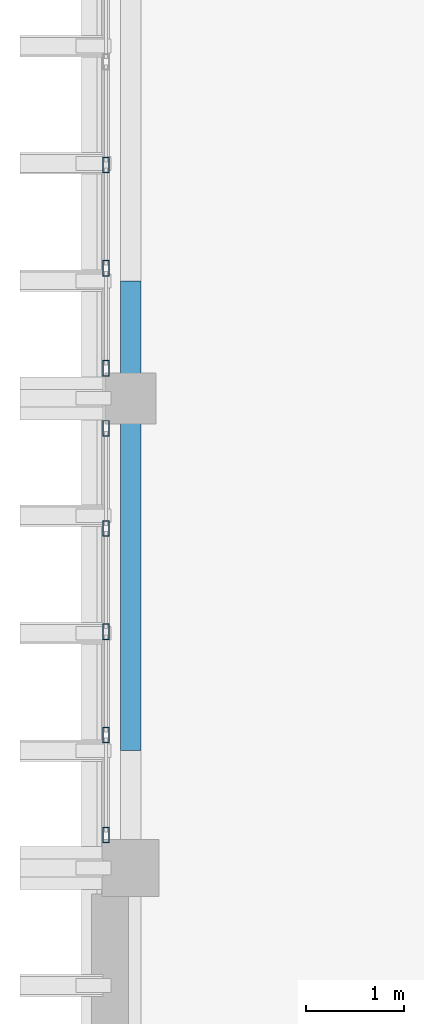
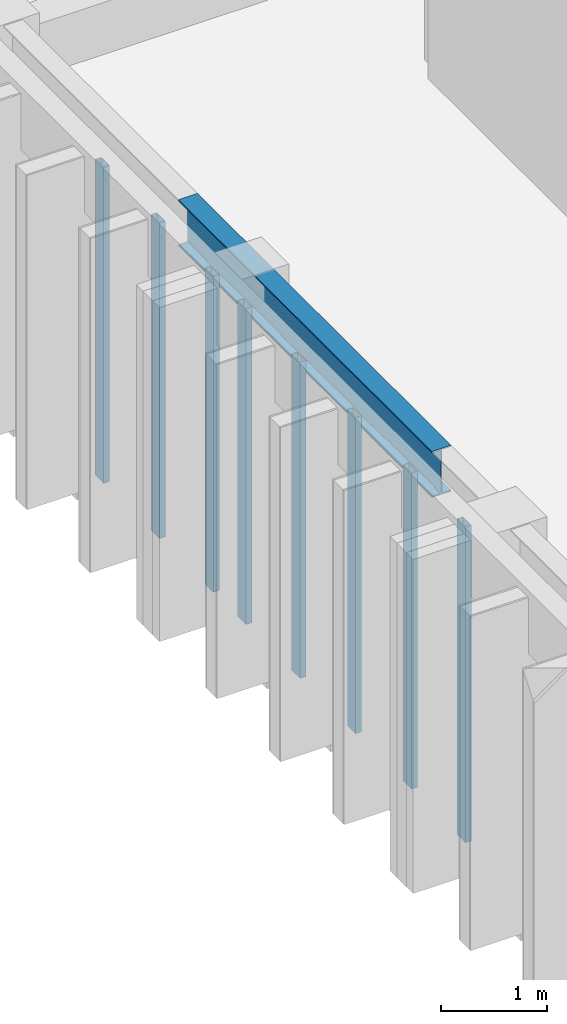
# One storey, part 21 of 49: 8 members, 1 beam, 2 elements without a shape of their own.
"""IFC4 building model written with IfcOpenShell, lengths in metres."""

from ifc_helpers import new_model, si_unit, direction, frame, origin, origin_2d, place, context, subcontext, project, spatial, hollow_rectangle, i_section, extrude, material, layer, layer_set, material_profile, profile_set, type_object, element, aggregate, save


model = new_model("IFC4")

# Units and contexts
model_context = context("Model", 3, precision=1e-05, world=origin(), true_north=direction((0.0, 1.0)))
body_context = subcontext(model_context, "Body", "Model", "MODEL_VIEW")
ifc_project = project(units=[si_unit("LENGTHUNIT", "METRE"), si_unit("AREAUNIT", "SQUARE_METRE"), si_unit("VOLUMEUNIT", "CUBIC_METRE"), si_unit("PLANEANGLEUNIT", "RADIAN"), si_unit("MASSUNIT", "GRAM", prefix="KILO")], contexts=[model_context])

# Site, building, storey
site_placement = place(None, origin())
site = spatial("IfcSite", under=ifc_project, at=site_placement, CompositionType="ELEMENT")
building_placement = place(site_placement, origin())
building = spatial("IfcBuilding", under=site, at=building_placement, Name="Nakhvara Creek Congress Hotel", CompositionType="ELEMENT")
storey_placement = place(building_placement, frame((0.0, 0.0, 46.5)))
storey = spatial("IfcBuildingStorey", under=building, at=storey_placement, Name="L11", CompositionType="ELEMENT", Elevation=46.5)

# Beam
ifc_material_1 = material(Name="Steel S355J2", Category="steel")
ifc_material_profile_1 = material_profile(ifc_material_1, i_section(OverallWidth=0.209228515625, OverallDepth=0.533203125, WebThickness=0.010009765625, FlangeThickness=0.015625, FilletRadius=0.0126953125, at=origin_2d()), Name="UB 533x210x92", Category="LoadBearing")
ifc_profile_set_1 = profile_set([ifc_material_profile_1], Name="Steel S355J2")
beam_type = type_object("IfcBeamType", Name="BM-ST-UB533", PredefinedType="BEAM", material=ifc_profile_set_1)
beam_placement = place(storey_placement, frame((149.449951171875, 106.800048828125, 3.6201171875), z_axis=(0.0, 1.0, 0.0), x_axis=(-1.0, 0.0, 0.0)))
element("IfcBeam", 1, at=beam_placement, inside=storey, type_object=beam_type, Name="Hotel Gable Eave Beam W-08", PredefinedType="BEAM", context=body_context, shape_type="SweptSolid", body=[
    extrude(i_section(OverallWidth=0.209228515625, OverallDepth=0.533203125, WebThickness=0.010009765625, FlangeThickness=0.015625, FilletRadius=0.0126953125, at=origin_2d()), origin(), (0.0, 0.0, 1.0), 4.800048828125),
])

# Curtain wall, members
ifc_material_2 = material(Name="Bronze-anodised aluminium AW-6063-T6 and double-silver low-E glass", Category="aluminium")
ifc_layer = layer(ifc_material_2, 0.199951171875)
ifc_layer_set = layer_set([ifc_layer], Name="Bronze-anodised aluminium AW-6063-T6 and double-silver low-E glass")
curtain_wall_type = type_object("IfcCurtainWallType", Name="CW-HTL-UNIT", PredefinedType="USERDEFINED", material=ifc_layer_set)
curtain_wall_1_placement = place(storey_placement, origin())
curtain_wall_1 = element("IfcCurtainWall", 2, at=curtain_wall_1_placement, inside=storey, type_object=curtain_wall_type, Name="Curtain Wall CW343", ObjectType="UNITISED", PredefinedType="USERDEFINED")
ifc_material_3 = material(Name="Bronze-anodised aluminium AW-6063-T6", Category="aluminium")
ifc_material_profile_2 = material_profile(ifc_material_3, hollow_rectangle(XDim=0.06494140625, YDim=0.159912109375, WallThickness=0.00390625, at=origin_2d()), Name="ALU-MULL 65x160x4", Category="LoadBearing")
ifc_profile_set_2 = profile_set([ifc_material_profile_2], Name="Bronze-anodised aluminium AW-6063-T6")
member_type = type_object("IfcMemberType", Name="CW-MULL-160", PredefinedType="MULLION", material=ifc_profile_set_2)
member_1_placement = place(storey_placement, frame((149.199951171875, 105.9375, 0.0), z_axis=(0.0, 0.0, 1.0), x_axis=(-1.0, 0.0, 0.0)))
member_1 = element("IfcMember", 3, at=member_1_placement, type_object=member_type, Name="CW343 mullion 1", PredefinedType="MULLION", context=body_context, shape_type="SweptSolid", body=[
    extrude(hollow_rectangle(XDim=0.06494140625, YDim=0.159912109375, WallThickness=0.00390625, at=origin_2d()), origin(), (0.0, 0.0, 1.0), 3.64990234375),
])
member_2_placement = place(storey_placement, frame((149.199951171875, 106.9599609375, 0.0), z_axis=(0.0, 0.0, 1.0), x_axis=(-1.0, 0.0, 0.0)))
member_2 = element("IfcMember", 4, at=member_2_placement, type_object=member_type, Name="CW343 mullion 2", PredefinedType="MULLION", context=body_context, shape_type="SweptSolid", body=[
    extrude(hollow_rectangle(XDim=0.06494140625, YDim=0.159912109375, WallThickness=0.00390625, at=origin_2d()), origin(), (0.0, 0.0, 1.0), 3.64990234375),
])
member_3_placement = place(storey_placement, frame((149.199951171875, 108.014892578125, 0.0), z_axis=(0.0, 0.0, 1.0), x_axis=(-1.0, 0.0, 0.0)))
member_3 = element("IfcMember", 5, at=member_3_placement, type_object=member_type, Name="CW343 mullion 3", PredefinedType="MULLION", context=body_context, shape_type="SweptSolid", body=[
    extrude(hollow_rectangle(XDim=0.06494140625, YDim=0.159912109375, WallThickness=0.00390625, at=origin_2d()), origin(), (0.0, 0.0, 1.0), 3.64990234375),
])
member_4_placement = place(storey_placement, frame((149.199951171875, 109.070068359375, 0.0), z_axis=(0.0, 0.0, 1.0), x_axis=(-1.0, 0.0, 0.0)))
member_4 = element("IfcMember", 6, at=member_4_placement, type_object=member_type, Name="CW343 mullion 4", PredefinedType="MULLION", context=body_context, shape_type="SweptSolid", body=[
    extrude(hollow_rectangle(XDim=0.06494140625, YDim=0.159912109375, WallThickness=0.00390625, at=origin_2d()), origin(), (0.0, 0.0, 1.0), 3.64990234375),
])
member_5_placement = place(storey_placement, frame((149.199951171875, 110.092529296875, 0.0), z_axis=(0.0, 0.0, 1.0), x_axis=(-1.0, 0.0, 0.0)))
member_5 = element("IfcMember", 7, at=member_5_placement, type_object=member_type, Name="CW343 mullion 5", PredefinedType="MULLION", context=body_context, shape_type="SweptSolid", body=[
    extrude(hollow_rectangle(XDim=0.06494140625, YDim=0.159912109375, WallThickness=0.00390625, at=origin_2d()), origin(), (0.0, 0.0, 1.0), 3.64990234375),
])
aggregate(curtain_wall_1, [member_1, member_2, member_3, member_4, member_5])

curtain_wall_2_placement = place(storey_placement, origin())
curtain_wall_2 = element("IfcCurtainWall", 8, at=curtain_wall_2_placement, inside=storey, type_object=curtain_wall_type, Name="Curtain Wall CW345", ObjectType="UNITISED", PredefinedType="USERDEFINED")
member_6_placement = place(storey_placement, frame((149.199951171875, 110.70751953125, 0.0), z_axis=(0.0, 0.0, 1.0), x_axis=(-1.0, 0.0, 0.0)))
member_6 = element("IfcMember", 9, at=member_6_placement, type_object=member_type, Name="CW345 mullion 1", PredefinedType="MULLION", context=body_context, shape_type="SweptSolid", body=[
    extrude(hollow_rectangle(XDim=0.06494140625, YDim=0.159912109375, WallThickness=0.00390625, at=origin_2d()), origin(), (0.0, 0.0, 1.0), 3.64990234375),
])
member_7_placement = place(storey_placement, frame((149.199951171875, 111.72998046875, 0.0), z_axis=(0.0, 0.0, 1.0), x_axis=(-1.0, 0.0, 0.0)))
member_7 = element("IfcMember", 10, at=member_7_placement, type_object=member_type, Name="CW345 mullion 2", PredefinedType="MULLION", context=body_context, shape_type="SweptSolid", body=[
    extrude(hollow_rectangle(XDim=0.06494140625, YDim=0.159912109375, WallThickness=0.00390625, at=origin_2d()), origin(), (0.0, 0.0, 1.0), 3.64990234375),
])
member_8_placement = place(storey_placement, frame((149.199951171875, 112.784912109375, 0.0), z_axis=(0.0, 0.0, 1.0), x_axis=(-1.0, 0.0, 0.0)))
member_8 = element("IfcMember", 11, at=member_8_placement, type_object=member_type, Name="CW345 mullion 3", PredefinedType="MULLION", context=body_context, shape_type="SweptSolid", body=[
    extrude(hollow_rectangle(XDim=0.06494140625, YDim=0.159912109375, WallThickness=0.00390625, at=origin_2d()), origin(), (0.0, 0.0, 1.0), 3.64990234375),
])
aggregate(curtain_wall_2, [member_6, member_7, member_8])

save(model, "model.ifc")
